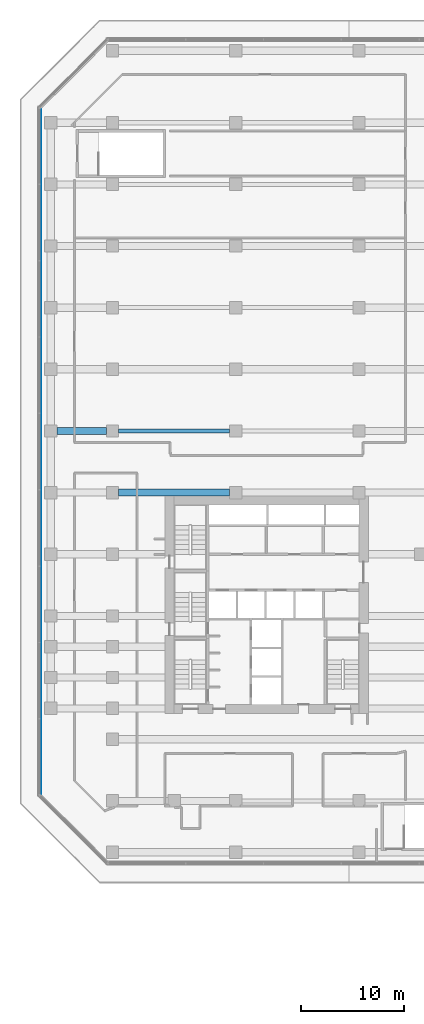
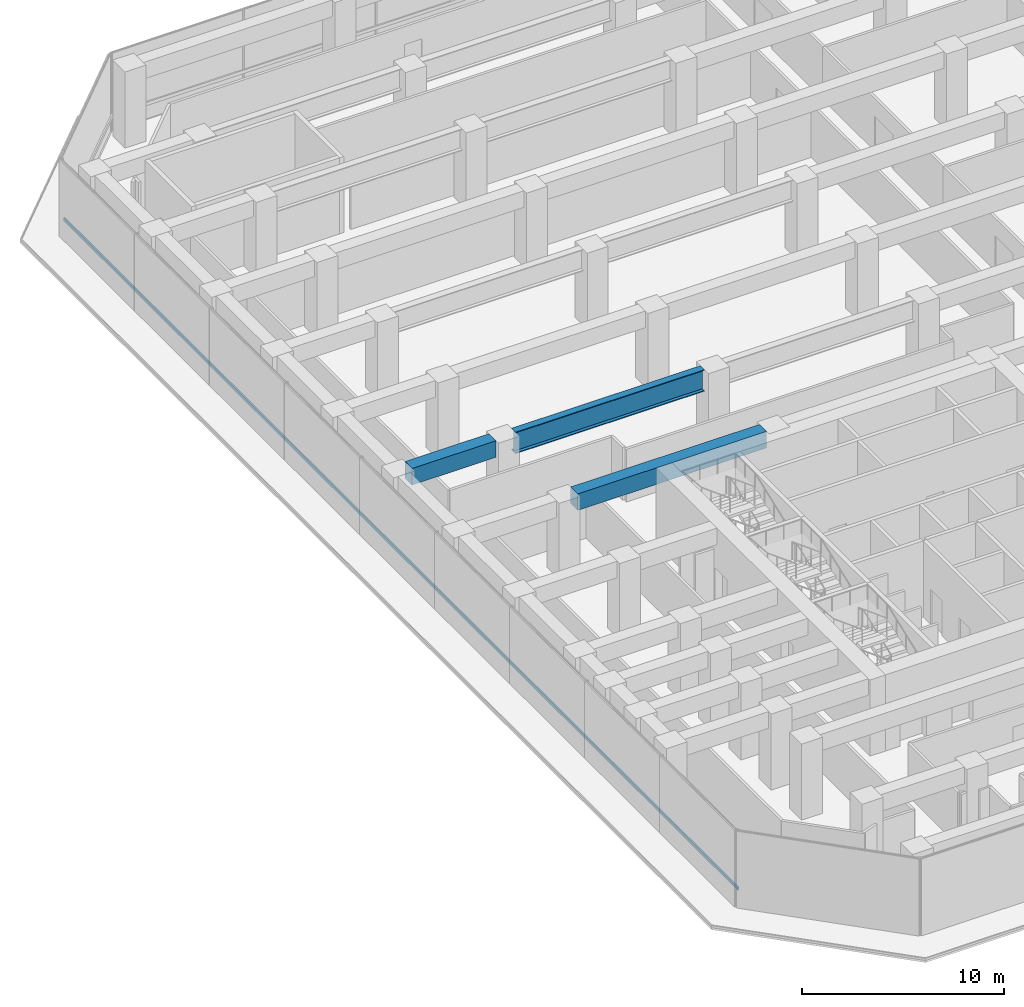
# One storey, part 8 of 40: 3 beams, 1 member, 1 element without a shape of its own.
"""IFC4 building model written with IfcOpenShell, lengths in metres."""

from ifc_helpers import new_model, si_unit, direction, frame, origin, origin_2d, place, context, subcontext, project, spatial, rectangle, i_section, extrude, material, layer, layer_set, material_profile, profile_set, type_object, element, aggregate, save


model = new_model("IFC4")

# Units and contexts
model_context = context("Model", 3, precision=1e-05, world=origin(), true_north=direction((0.0, 1.0)))
body_context = subcontext(model_context, "Body", "Model", "MODEL_VIEW")
ifc_project = project(units=[si_unit("LENGTHUNIT", "METRE"), si_unit("AREAUNIT", "SQUARE_METRE"), si_unit("VOLUMEUNIT", "CUBIC_METRE"), si_unit("PLANEANGLEUNIT", "RADIAN"), si_unit("MASSUNIT", "GRAM", prefix="KILO")], contexts=[model_context])

# Site, building, storey
site_placement = place(None, origin())
site = spatial("IfcSite", under=ifc_project, at=site_placement, CompositionType="ELEMENT")
building_placement = place(site_placement, origin())
building = spatial("IfcBuilding", under=site, at=building_placement, Name="Welwitschia Terrace Campus", CompositionType="ELEMENT")
storey_placement = place(building_placement, frame((0.0, 0.0, 6.0)))
storey = spatial("IfcBuildingStorey", under=building, at=storey_placement, Name="L01", CompositionType="ELEMENT", Elevation=6.0)

# Beams
ifc_material_1 = material(Name="Concrete C60/75", Category="concrete")
ifc_material_profile_1 = material_profile(ifc_material_1, rectangle(XDim=0.699951171875, YDim=1.0, at=origin_2d()))
ifc_profile_set_1 = profile_set([ifc_material_profile_1], Name="Concrete C60/75")
beam_type_1 = type_object("IfcBeamType", Name="Base block beam 700x1000", PredefinedType="BEAM", material=ifc_profile_set_1)
beam_1_placement = place(storey_placement, frame((0.6005859375, 26.0, 4.10009765625), z_axis=(1.0, 0.0, 0.0), x_axis=(0.0, 1.0, 0.0)))
element("IfcBeam", 1, at=beam_1_placement, inside=storey, type_object=beam_type_1, Name="Beam BB1", PredefinedType="BEAM", context=body_context, shape_type="SweptSolid", body=[
    extrude(rectangle(XDim=0.699951171875, YDim=1.0, at=origin_2d()), origin(), (0.0, 0.0, 1.0), 10.798828125),
])
beam_2_placement = place(storey_placement, frame((-5.3994140625, 32.0, 4.10009765625), z_axis=(1.0, 0.0, 0.0), x_axis=(0.0, 1.0, 0.0)))
element("IfcBeam", 2, at=beam_2_placement, inside=storey, type_object=beam_type_1, Name="Beam BB1", PredefinedType="BEAM", context=body_context, shape_type="SweptSolid", body=[
    extrude(rectangle(XDim=0.699951171875, YDim=1.0, at=origin_2d()), origin(), (0.0, 0.0, 1.0), 4.798828125),
])
ifc_material_2 = material(Name="Steel S355", Category="steel")
ifc_material_profile_2 = material_profile(ifc_material_2, i_section(OverallWidth=0.39990234375, OverallDepth=1.300048828125, WebThickness=0.02490234375, FlangeThickness=0.0400390625, at=origin_2d()))
ifc_profile_set_2 = profile_set([ifc_material_profile_2], Name="Steel S355")
beam_type_2 = type_object("IfcBeamType", Name="Transfer girder WI 1300x400x25x40", PredefinedType="BEAM", material=ifc_profile_set_2)
beam_3_placement = place(storey_placement, frame((0.6005859375, 32.0, 3.949951171875), z_axis=(1.0, 0.0, 0.0), x_axis=(0.0, 1.0, 0.0)))
element("IfcBeam", 3, at=beam_3_placement, inside=storey, type_object=beam_type_2, Name="Transfer girder TG1", PredefinedType="BEAM", context=body_context, shape_type="SweptSolid", body=[
    extrude(i_section(OverallWidth=0.39990234375, OverallDepth=1.300048828125, WebThickness=0.02490234375, FlangeThickness=0.0400390625, at=origin_2d()), origin(), (0.0, 0.0, 1.0), 10.798828125),
])

# Curtain wall, member
ifc_material_3 = material(Name="Bronze anodised aluminium", Category="aluminium")
ifc_layer = layer(ifc_material_3, 0.14990234375)
ifc_layer_set = layer_set([ifc_layer], Name="Bronze anodised aluminium")
curtain_wall_type = type_object("IfcCurtainWallType", Name="Curtain wall CW1 podium 7500", PredefinedType="NOTDEFINED", material=ifc_layer_set)
curtain_wall_placement = place(storey_placement, origin())
curtain_wall = element("IfcCurtainWall", 4, at=curtain_wall_placement, inside=storey, type_object=curtain_wall_type, Name="CW L01.6.0", PredefinedType="NOTDEFINED")
ifc_material_4 = material(Name="Bronze anodised aluminium", Category="aluminium")
ifc_material_profile_3 = material_profile(ifc_material_4, rectangle(XDim=0.080078125, YDim=0.199951171875, at=origin_2d()))
ifc_profile_set_3 = profile_set([ifc_material_profile_3], Name="Bronze anodised aluminium")
member_type = type_object("IfcMemberType", Name="Transom 80x200", PredefinedType="USERDEFINED", material=ifc_profile_set_3)
member_placement = place(storey_placement, frame((-6.969970703125, 63.369384765625, 1.0), z_axis=(0.0, -1.0, 0.0), x_axis=(1.0, 0.0, 0.0)))
member = element("IfcMember", 5, at=member_placement, type_object=member_type, Name="Transom L01.6.0", ObjectType="TRANSOM", PredefinedType="USERDEFINED", context=body_context, shape_type="SweptSolid", body=[
    extrude(rectangle(XDim=0.080078125, YDim=0.199951171875, at=origin_2d()), origin(), (0.0, 0.0, 1.0), 66.73876953125),
])
aggregate(curtain_wall, [member])

save(model, "model.ifc")
